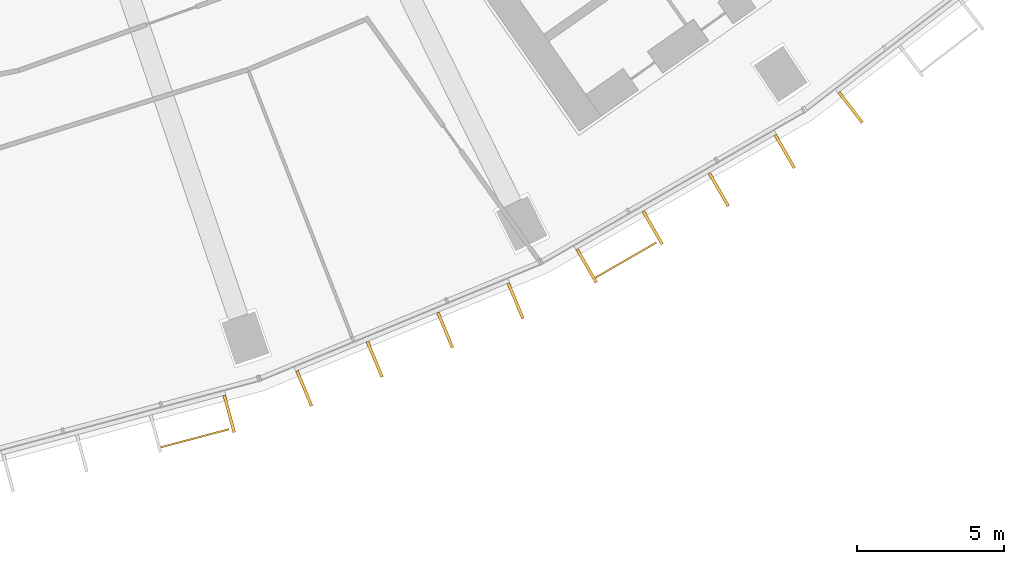
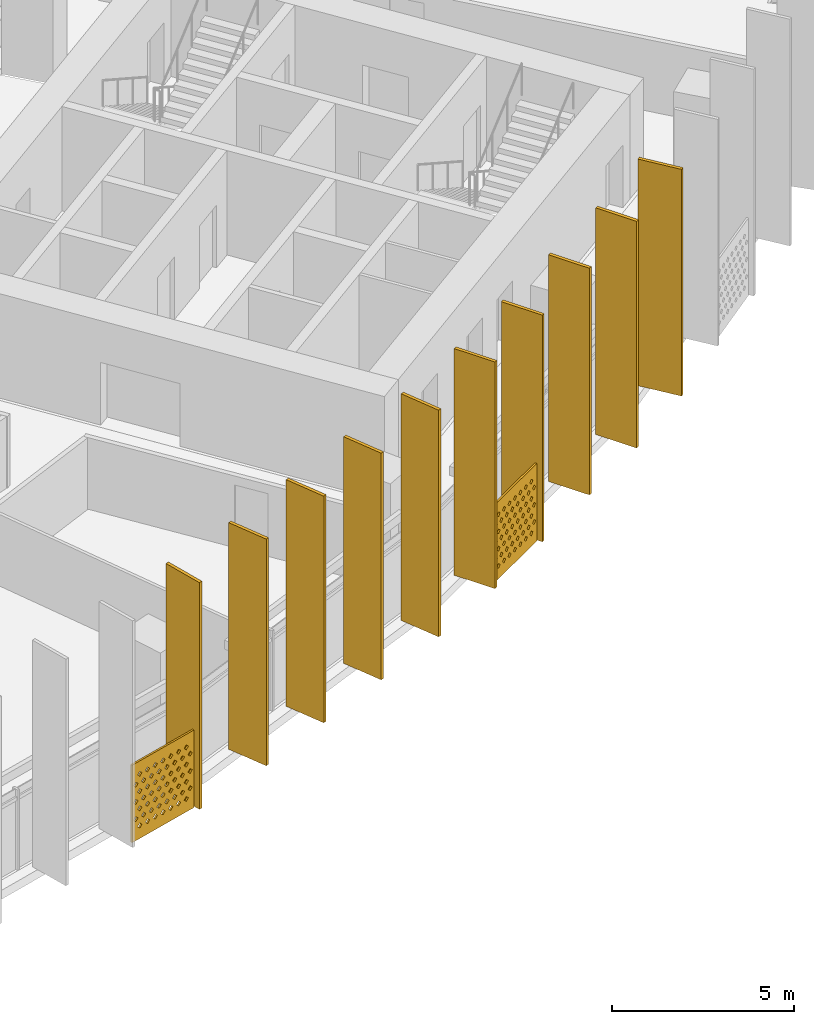
# One storey, part 29 of 33: 12 shading devices.
"""IFC4 building model written with IfcOpenShell, lengths in metres."""

from ifc_helpers import new_model, si_unit, direction, frame, origin, origin_2d, place, context, subcontext, project, spatial, polyline, rectangle, outline, extrude, material, material_profile, profile_set, type_object, element, save


model = new_model("IFC4")

# Units and contexts
model_context = context("Model", 3, precision=1e-05, world=origin(), true_north=direction((0.0, 1.0)))
body_context = subcontext(model_context, "Body", "Model", "MODEL_VIEW")
ifc_project = project(units=[si_unit("LENGTHUNIT", "METRE"), si_unit("AREAUNIT", "SQUARE_METRE"), si_unit("VOLUMEUNIT", "CUBIC_METRE"), si_unit("PLANEANGLEUNIT", "RADIAN"), si_unit("MASSUNIT", "GRAM", prefix="KILO")], contexts=[model_context])

# Site, building, storey
site_placement = place(None, origin())
site = spatial("IfcSite", under=ifc_project, at=site_placement, CompositionType="ELEMENT")
building_placement = place(site_placement, origin())
building = spatial("IfcBuilding", under=site, at=building_placement, Name="Qamariyya Broadcast Tower", CompositionType="ELEMENT")
storey_placement = place(building_placement, frame((0.0, 0.0, 94.89990234375)))
storey = spatial("IfcBuildingStorey", under=building, at=storey_placement, Name="L20", CompositionType="ELEMENT", Elevation=94.89990234375)

# Shading devices
ifc_material_1 = material(Name="Perforated glazed terracotta", Category="masonry")
ifc_material_profile_1 = material_profile(ifc_material_1, outline(polyline([(-1.199951171875, -1.300048828125), (1.199951171875, -1.300048828125), (1.199951171875, 1.300048828125), (-1.199951171875, 1.300048828125), (-1.199951171875, -1.300048828125)]), holes=[polyline([(-0.81494140625, -0.86669921875), (-0.89990234375, -0.78173828125), (-0.985107421875, -0.86669921875), (-0.89990234375, -0.95166015625), (-0.81494140625, -0.86669921875)]), polyline([(-0.514892578125, -0.86669921875), (-0.60009765625, -0.78173828125), (-0.68505859375, -0.86669921875), (-0.60009765625, -0.95166015625), (-0.514892578125, -0.86669921875)]), polyline([(-0.215087890625, -0.86669921875), (-0.300048828125, -0.78173828125), (-0.385009765625, -0.86669921875), (-0.300048828125, -0.95166015625), (-0.215087890625, -0.86669921875)]), polyline([(0.0849609375, -0.86669921875), (0.0, -0.78173828125), (-0.0849609375, -0.86669921875), (0.0, -0.95166015625), (0.0849609375, -0.86669921875)]), polyline([(0.385009765625, -0.86669921875), (0.300048828125, -0.78173828125), (0.215087890625, -0.86669921875), (0.300048828125, -0.95166015625), (0.385009765625, -0.86669921875)]), polyline([(0.68505859375, -0.86669921875), (0.60009765625, -0.78173828125), (0.514892578125, -0.86669921875), (0.60009765625, -0.95166015625), (0.68505859375, -0.86669921875)]), polyline([(0.985107421875, -0.86669921875), (0.89990234375, -0.78173828125), (0.81494140625, -0.86669921875), (0.89990234375, -0.95166015625), (0.985107421875, -0.86669921875)]), polyline([(-0.965087890625, -0.577880859375), (-1.050048828125, -0.49267578125), (-1.135009765625, -0.577880859375), (-1.050048828125, -0.662841796875), (-0.965087890625, -0.577880859375)]), polyline([(-0.6650390625, -0.577880859375), (-0.75, -0.49267578125), (-0.8349609375, -0.577880859375), (-0.75, -0.662841796875), (-0.6650390625, -0.577880859375)]), polyline([(-0.364990234375, -0.577880859375), (-0.449951171875, -0.49267578125), (-0.534912109375, -0.577880859375), (-0.449951171875, -0.662841796875), (-0.364990234375, -0.577880859375)]), polyline([(-0.06494140625, -0.577880859375), (-0.14990234375, -0.49267578125), (-0.235107421875, -0.577880859375), (-0.14990234375, -0.662841796875), (-0.06494140625, -0.577880859375)]), polyline([(0.235107421875, -0.577880859375), (0.14990234375, -0.49267578125), (0.06494140625, -0.577880859375), (0.14990234375, -0.662841796875), (0.235107421875, -0.577880859375)]), polyline([(0.534912109375, -0.577880859375), (0.449951171875, -0.49267578125), (0.364990234375, -0.577880859375), (0.449951171875, -0.662841796875), (0.534912109375, -0.577880859375)]), polyline([(0.8349609375, -0.577880859375), (0.75, -0.49267578125), (0.6650390625, -0.577880859375), (0.75, -0.662841796875), (0.8349609375, -0.577880859375)]), polyline([(1.135009765625, -0.577880859375), (1.050048828125, -0.49267578125), (0.965087890625, -0.577880859375), (1.050048828125, -0.662841796875), (1.135009765625, -0.577880859375)]), polyline([(-0.81494140625, -0.288818359375), (-0.89990234375, -0.203857421875), (-0.985107421875, -0.288818359375), (-0.89990234375, -0.373779296875), (-0.81494140625, -0.288818359375)]), polyline([(-0.514892578125, -0.288818359375), (-0.60009765625, -0.203857421875), (-0.68505859375, -0.288818359375), (-0.60009765625, -0.373779296875), (-0.514892578125, -0.288818359375)]), polyline([(-0.215087890625, -0.288818359375), (-0.300048828125, -0.203857421875), (-0.385009765625, -0.288818359375), (-0.300048828125, -0.373779296875), (-0.215087890625, -0.288818359375)]), polyline([(0.0849609375, -0.288818359375), (0.0, -0.203857421875), (-0.0849609375, -0.288818359375), (0.0, -0.373779296875), (0.0849609375, -0.288818359375)]), polyline([(0.385009765625, -0.288818359375), (0.300048828125, -0.203857421875), (0.215087890625, -0.288818359375), (0.300048828125, -0.373779296875), (0.385009765625, -0.288818359375)]), polyline([(0.68505859375, -0.288818359375), (0.60009765625, -0.203857421875), (0.514892578125, -0.288818359375), (0.60009765625, -0.373779296875), (0.68505859375, -0.288818359375)]), polyline([(0.985107421875, -0.288818359375), (0.89990234375, -0.203857421875), (0.81494140625, -0.288818359375), (0.89990234375, -0.373779296875), (0.985107421875, -0.288818359375)]), polyline([(-0.965087890625, 0.0), (-1.050048828125, 0.0849609375), (-1.135009765625, 0.0), (-1.050048828125, -0.0849609375), (-0.965087890625, 0.0)]), polyline([(-0.6650390625, 0.0), (-0.75, 0.0849609375), (-0.8349609375, 0.0), (-0.75, -0.0849609375), (-0.6650390625, 0.0)]), polyline([(-0.364990234375, 0.0), (-0.449951171875, 0.0849609375), (-0.534912109375, 0.0), (-0.449951171875, -0.0849609375), (-0.364990234375, 0.0)]), polyline([(-0.06494140625, 0.0), (-0.14990234375, 0.0849609375), (-0.235107421875, 0.0), (-0.14990234375, -0.0849609375), (-0.06494140625, 0.0)]), polyline([(0.235107421875, 0.0), (0.14990234375, 0.0849609375), (0.06494140625, 0.0), (0.14990234375, -0.0849609375), (0.235107421875, 0.0)]), polyline([(0.534912109375, 0.0), (0.449951171875, 0.0849609375), (0.364990234375, 0.0), (0.449951171875, -0.0849609375), (0.534912109375, 0.0)]), polyline([(0.8349609375, 0.0), (0.75, 0.0849609375), (0.6650390625, 0.0), (0.75, -0.0849609375), (0.8349609375, 0.0)]), polyline([(1.135009765625, 0.0), (1.050048828125, 0.0849609375), (0.965087890625, 0.0), (1.050048828125, -0.0849609375), (1.135009765625, 0.0)]), polyline([(-0.81494140625, 0.288818359375), (-0.89990234375, 0.373779296875), (-0.985107421875, 0.288818359375), (-0.89990234375, 0.203857421875), (-0.81494140625, 0.288818359375)]), polyline([(-0.514892578125, 0.288818359375), (-0.60009765625, 0.373779296875), (-0.68505859375, 0.288818359375), (-0.60009765625, 0.203857421875), (-0.514892578125, 0.288818359375)]), polyline([(-0.215087890625, 0.288818359375), (-0.300048828125, 0.373779296875), (-0.385009765625, 0.288818359375), (-0.300048828125, 0.203857421875), (-0.215087890625, 0.288818359375)]), polyline([(0.0849609375, 0.288818359375), (0.0, 0.373779296875), (-0.0849609375, 0.288818359375), (0.0, 0.203857421875), (0.0849609375, 0.288818359375)]), polyline([(0.385009765625, 0.288818359375), (0.300048828125, 0.373779296875), (0.215087890625, 0.288818359375), (0.300048828125, 0.203857421875), (0.385009765625, 0.288818359375)]), polyline([(0.68505859375, 0.288818359375), (0.60009765625, 0.373779296875), (0.514892578125, 0.288818359375), (0.60009765625, 0.203857421875), (0.68505859375, 0.288818359375)]), polyline([(0.985107421875, 0.288818359375), (0.89990234375, 0.373779296875), (0.81494140625, 0.288818359375), (0.89990234375, 0.203857421875), (0.985107421875, 0.288818359375)]), polyline([(-0.965087890625, 0.577880859375), (-1.050048828125, 0.662841796875), (-1.135009765625, 0.577880859375), (-1.050048828125, 0.49267578125), (-0.965087890625, 0.577880859375)]), polyline([(-0.6650390625, 0.577880859375), (-0.75, 0.662841796875), (-0.8349609375, 0.577880859375), (-0.75, 0.49267578125), (-0.6650390625, 0.577880859375)]), polyline([(-0.364990234375, 0.577880859375), (-0.449951171875, 0.662841796875), (-0.534912109375, 0.577880859375), (-0.449951171875, 0.49267578125), (-0.364990234375, 0.577880859375)]), polyline([(-0.06494140625, 0.577880859375), (-0.14990234375, 0.662841796875), (-0.235107421875, 0.577880859375), (-0.14990234375, 0.49267578125), (-0.06494140625, 0.577880859375)]), polyline([(0.235107421875, 0.577880859375), (0.14990234375, 0.662841796875), (0.06494140625, 0.577880859375), (0.14990234375, 0.49267578125), (0.235107421875, 0.577880859375)]), polyline([(0.534912109375, 0.577880859375), (0.449951171875, 0.662841796875), (0.364990234375, 0.577880859375), (0.449951171875, 0.49267578125), (0.534912109375, 0.577880859375)]), polyline([(0.8349609375, 0.577880859375), (0.75, 0.662841796875), (0.6650390625, 0.577880859375), (0.75, 0.49267578125), (0.8349609375, 0.577880859375)]), polyline([(1.135009765625, 0.577880859375), (1.050048828125, 0.662841796875), (0.965087890625, 0.577880859375), (1.050048828125, 0.49267578125), (1.135009765625, 0.577880859375)]), polyline([(-0.81494140625, 0.86669921875), (-0.89990234375, 0.95166015625), (-0.985107421875, 0.86669921875), (-0.89990234375, 0.78173828125), (-0.81494140625, 0.86669921875)]), polyline([(-0.514892578125, 0.86669921875), (-0.60009765625, 0.95166015625), (-0.68505859375, 0.86669921875), (-0.60009765625, 0.78173828125), (-0.514892578125, 0.86669921875)]), polyline([(-0.215087890625, 0.86669921875), (-0.300048828125, 0.95166015625), (-0.385009765625, 0.86669921875), (-0.300048828125, 0.78173828125), (-0.215087890625, 0.86669921875)]), polyline([(0.0849609375, 0.86669921875), (0.0, 0.95166015625), (-0.0849609375, 0.86669921875), (0.0, 0.78173828125), (0.0849609375, 0.86669921875)]), polyline([(0.385009765625, 0.86669921875), (0.300048828125, 0.95166015625), (0.215087890625, 0.86669921875), (0.300048828125, 0.78173828125), (0.385009765625, 0.86669921875)]), polyline([(0.68505859375, 0.86669921875), (0.60009765625, 0.95166015625), (0.514892578125, 0.86669921875), (0.60009765625, 0.78173828125), (0.68505859375, 0.86669921875)]), polyline([(0.985107421875, 0.86669921875), (0.89990234375, 0.95166015625), (0.81494140625, 0.86669921875), (0.89990234375, 0.78173828125), (0.985107421875, 0.86669921875)])]))
ifc_profile_set_1 = profile_set([ifc_material_profile_1], Name="Perforated glazed terracotta")
shading_device_type_1 = type_object("IfcShadingDeviceType", Name="Perforated terracotta screen 2400 x 2600", PredefinedType="USERDEFINED", material=ifc_profile_set_1)
shading_device_1_placement = place(storey_placement, frame((23.26904296875, -77.00146484375, 1.35009765625), z_axis=(0.255892560316, -0.966705227862, 0.0), x_axis=(0.966705227862, 0.255892560316, 0.0)))
element("IfcShadingDevice", 1, at=shading_device_1_placement, inside=storey, type_object=shading_device_type_1, Name="e-scr-L20-11-2", ObjectType="SCREEN", PredefinedType="USERDEFINED", context=body_context, shape_type="SweptSolid", body=[
    extrude(outline(polyline([(-1.199951171875, -1.300048828125), (1.199951171875, -1.300048828125), (1.199951171875, 1.300048828125), (-1.199951171875, 1.300048828125), (-1.199951171875, -1.300048828125)]), holes=[polyline([(-0.81494140625, -0.86669921875), (-0.89990234375, -0.78173828125), (-0.985107421875, -0.86669921875), (-0.89990234375, -0.95166015625), (-0.81494140625, -0.86669921875)]), polyline([(-0.514892578125, -0.86669921875), (-0.60009765625, -0.78173828125), (-0.68505859375, -0.86669921875), (-0.60009765625, -0.95166015625), (-0.514892578125, -0.86669921875)]), polyline([(-0.215087890625, -0.86669921875), (-0.300048828125, -0.78173828125), (-0.385009765625, -0.86669921875), (-0.300048828125, -0.95166015625), (-0.215087890625, -0.86669921875)]), polyline([(0.0849609375, -0.86669921875), (0.0, -0.78173828125), (-0.0849609375, -0.86669921875), (0.0, -0.95166015625), (0.0849609375, -0.86669921875)]), polyline([(0.385009765625, -0.86669921875), (0.300048828125, -0.78173828125), (0.215087890625, -0.86669921875), (0.300048828125, -0.95166015625), (0.385009765625, -0.86669921875)]), polyline([(0.68505859375, -0.86669921875), (0.60009765625, -0.78173828125), (0.514892578125, -0.86669921875), (0.60009765625, -0.95166015625), (0.68505859375, -0.86669921875)]), polyline([(0.985107421875, -0.86669921875), (0.89990234375, -0.78173828125), (0.81494140625, -0.86669921875), (0.89990234375, -0.95166015625), (0.985107421875, -0.86669921875)]), polyline([(-0.965087890625, -0.577880859375), (-1.050048828125, -0.49267578125), (-1.135009765625, -0.577880859375), (-1.050048828125, -0.662841796875), (-0.965087890625, -0.577880859375)]), polyline([(-0.6650390625, -0.577880859375), (-0.75, -0.49267578125), (-0.8349609375, -0.577880859375), (-0.75, -0.662841796875), (-0.6650390625, -0.577880859375)]), polyline([(-0.364990234375, -0.577880859375), (-0.449951171875, -0.49267578125), (-0.534912109375, -0.577880859375), (-0.449951171875, -0.662841796875), (-0.364990234375, -0.577880859375)]), polyline([(-0.06494140625, -0.577880859375), (-0.14990234375, -0.49267578125), (-0.235107421875, -0.577880859375), (-0.14990234375, -0.662841796875), (-0.06494140625, -0.577880859375)]), polyline([(0.235107421875, -0.577880859375), (0.14990234375, -0.49267578125), (0.06494140625, -0.577880859375), (0.14990234375, -0.662841796875), (0.235107421875, -0.577880859375)]), polyline([(0.534912109375, -0.577880859375), (0.449951171875, -0.49267578125), (0.364990234375, -0.577880859375), (0.449951171875, -0.662841796875), (0.534912109375, -0.577880859375)]), polyline([(0.8349609375, -0.577880859375), (0.75, -0.49267578125), (0.6650390625, -0.577880859375), (0.75, -0.662841796875), (0.8349609375, -0.577880859375)]), polyline([(1.135009765625, -0.577880859375), (1.050048828125, -0.49267578125), (0.965087890625, -0.577880859375), (1.050048828125, -0.662841796875), (1.135009765625, -0.577880859375)]), polyline([(-0.81494140625, -0.288818359375), (-0.89990234375, -0.203857421875), (-0.985107421875, -0.288818359375), (-0.89990234375, -0.373779296875), (-0.81494140625, -0.288818359375)]), polyline([(-0.514892578125, -0.288818359375), (-0.60009765625, -0.203857421875), (-0.68505859375, -0.288818359375), (-0.60009765625, -0.373779296875), (-0.514892578125, -0.288818359375)]), polyline([(-0.215087890625, -0.288818359375), (-0.300048828125, -0.203857421875), (-0.385009765625, -0.288818359375), (-0.300048828125, -0.373779296875), (-0.215087890625, -0.288818359375)]), polyline([(0.0849609375, -0.288818359375), (0.0, -0.203857421875), (-0.0849609375, -0.288818359375), (0.0, -0.373779296875), (0.0849609375, -0.288818359375)]), polyline([(0.385009765625, -0.288818359375), (0.300048828125, -0.203857421875), (0.215087890625, -0.288818359375), (0.300048828125, -0.373779296875), (0.385009765625, -0.288818359375)]), polyline([(0.68505859375, -0.288818359375), (0.60009765625, -0.203857421875), (0.514892578125, -0.288818359375), (0.60009765625, -0.373779296875), (0.68505859375, -0.288818359375)]), polyline([(0.985107421875, -0.288818359375), (0.89990234375, -0.203857421875), (0.81494140625, -0.288818359375), (0.89990234375, -0.373779296875), (0.985107421875, -0.288818359375)]), polyline([(-0.965087890625, 0.0), (-1.050048828125, 0.0849609375), (-1.135009765625, 0.0), (-1.050048828125, -0.0849609375), (-0.965087890625, 0.0)]), polyline([(-0.6650390625, 0.0), (-0.75, 0.0849609375), (-0.8349609375, 0.0), (-0.75, -0.0849609375), (-0.6650390625, 0.0)]), polyline([(-0.364990234375, 0.0), (-0.449951171875, 0.0849609375), (-0.534912109375, 0.0), (-0.449951171875, -0.0849609375), (-0.364990234375, 0.0)]), polyline([(-0.06494140625, 0.0), (-0.14990234375, 0.0849609375), (-0.235107421875, 0.0), (-0.14990234375, -0.0849609375), (-0.06494140625, 0.0)]), polyline([(0.235107421875, 0.0), (0.14990234375, 0.0849609375), (0.06494140625, 0.0), (0.14990234375, -0.0849609375), (0.235107421875, 0.0)]), polyline([(0.534912109375, 0.0), (0.449951171875, 0.0849609375), (0.364990234375, 0.0), (0.449951171875, -0.0849609375), (0.534912109375, 0.0)]), polyline([(0.8349609375, 0.0), (0.75, 0.0849609375), (0.6650390625, 0.0), (0.75, -0.0849609375), (0.8349609375, 0.0)]), polyline([(1.135009765625, 0.0), (1.050048828125, 0.0849609375), (0.965087890625, 0.0), (1.050048828125, -0.0849609375), (1.135009765625, 0.0)]), polyline([(-0.81494140625, 0.288818359375), (-0.89990234375, 0.373779296875), (-0.985107421875, 0.288818359375), (-0.89990234375, 0.203857421875), (-0.81494140625, 0.288818359375)]), polyline([(-0.514892578125, 0.288818359375), (-0.60009765625, 0.373779296875), (-0.68505859375, 0.288818359375), (-0.60009765625, 0.203857421875), (-0.514892578125, 0.288818359375)]), polyline([(-0.215087890625, 0.288818359375), (-0.300048828125, 0.373779296875), (-0.385009765625, 0.288818359375), (-0.300048828125, 0.203857421875), (-0.215087890625, 0.288818359375)]), polyline([(0.0849609375, 0.288818359375), (0.0, 0.373779296875), (-0.0849609375, 0.288818359375), (0.0, 0.203857421875), (0.0849609375, 0.288818359375)]), polyline([(0.385009765625, 0.288818359375), (0.300048828125, 0.373779296875), (0.215087890625, 0.288818359375), (0.300048828125, 0.203857421875), (0.385009765625, 0.288818359375)]), polyline([(0.68505859375, 0.288818359375), (0.60009765625, 0.373779296875), (0.514892578125, 0.288818359375), (0.60009765625, 0.203857421875), (0.68505859375, 0.288818359375)]), polyline([(0.985107421875, 0.288818359375), (0.89990234375, 0.373779296875), (0.81494140625, 0.288818359375), (0.89990234375, 0.203857421875), (0.985107421875, 0.288818359375)]), polyline([(-0.965087890625, 0.577880859375), (-1.050048828125, 0.662841796875), (-1.135009765625, 0.577880859375), (-1.050048828125, 0.49267578125), (-0.965087890625, 0.577880859375)]), polyline([(-0.6650390625, 0.577880859375), (-0.75, 0.662841796875), (-0.8349609375, 0.577880859375), (-0.75, 0.49267578125), (-0.6650390625, 0.577880859375)]), polyline([(-0.364990234375, 0.577880859375), (-0.449951171875, 0.662841796875), (-0.534912109375, 0.577880859375), (-0.449951171875, 0.49267578125), (-0.364990234375, 0.577880859375)]), polyline([(-0.06494140625, 0.577880859375), (-0.14990234375, 0.662841796875), (-0.235107421875, 0.577880859375), (-0.14990234375, 0.49267578125), (-0.06494140625, 0.577880859375)]), polyline([(0.235107421875, 0.577880859375), (0.14990234375, 0.662841796875), (0.06494140625, 0.577880859375), (0.14990234375, 0.49267578125), (0.235107421875, 0.577880859375)]), polyline([(0.534912109375, 0.577880859375), (0.449951171875, 0.662841796875), (0.364990234375, 0.577880859375), (0.449951171875, 0.49267578125), (0.534912109375, 0.577880859375)]), polyline([(0.8349609375, 0.577880859375), (0.75, 0.662841796875), (0.6650390625, 0.577880859375), (0.75, 0.49267578125), (0.8349609375, 0.577880859375)]), polyline([(1.135009765625, 0.577880859375), (1.050048828125, 0.662841796875), (0.965087890625, 0.577880859375), (1.050048828125, 0.49267578125), (1.135009765625, 0.577880859375)]), polyline([(-0.81494140625, 0.86669921875), (-0.89990234375, 0.95166015625), (-0.985107421875, 0.86669921875), (-0.89990234375, 0.78173828125), (-0.81494140625, 0.86669921875)]), polyline([(-0.514892578125, 0.86669921875), (-0.60009765625, 0.95166015625), (-0.68505859375, 0.86669921875), (-0.60009765625, 0.78173828125), (-0.514892578125, 0.86669921875)]), polyline([(-0.215087890625, 0.86669921875), (-0.300048828125, 0.95166015625), (-0.385009765625, 0.86669921875), (-0.300048828125, 0.78173828125), (-0.215087890625, 0.86669921875)]), polyline([(0.0849609375, 0.86669921875), (0.0, 0.95166015625), (-0.0849609375, 0.86669921875), (0.0, 0.78173828125), (0.0849609375, 0.86669921875)]), polyline([(0.385009765625, 0.86669921875), (0.300048828125, 0.95166015625), (0.215087890625, 0.86669921875), (0.300048828125, 0.78173828125), (0.385009765625, 0.86669921875)]), polyline([(0.68505859375, 0.86669921875), (0.60009765625, 0.95166015625), (0.514892578125, 0.86669921875), (0.60009765625, 0.78173828125), (0.68505859375, 0.86669921875)]), polyline([(0.985107421875, 0.86669921875), (0.89990234375, 0.95166015625), (0.81494140625, 0.86669921875), (0.89990234375, 0.78173828125), (0.985107421875, 0.86669921875)])]), origin(), (0.0, 0.0, 1.0), 0.06005859375),
])
shading_device_2_placement = place(storey_placement, frame((37.913818359375, -70.948486328125, 1.35009765625), z_axis=(0.500074377092, -0.865982457891, 0.0), x_axis=(0.865982457891, 0.500074377092, 0.0)))
element("IfcShadingDevice", 2, at=shading_device_2_placement, inside=storey, type_object=shading_device_type_1, Name="e-scr-L20-13-0", ObjectType="SCREEN", PredefinedType="USERDEFINED", context=body_context, shape_type="SweptSolid", body=[
    extrude(outline(polyline([(-1.199951171875, -1.300048828125), (1.199951171875, -1.300048828125), (1.199951171875, 1.300048828125), (-1.199951171875, 1.300048828125), (-1.199951171875, -1.300048828125)]), holes=[polyline([(-0.81494140625, -0.86669921875), (-0.89990234375, -0.78173828125), (-0.985107421875, -0.86669921875), (-0.89990234375, -0.95166015625), (-0.81494140625, -0.86669921875)]), polyline([(-0.514892578125, -0.86669921875), (-0.60009765625, -0.78173828125), (-0.68505859375, -0.86669921875), (-0.60009765625, -0.95166015625), (-0.514892578125, -0.86669921875)]), polyline([(-0.215087890625, -0.86669921875), (-0.300048828125, -0.78173828125), (-0.385009765625, -0.86669921875), (-0.300048828125, -0.95166015625), (-0.215087890625, -0.86669921875)]), polyline([(0.0849609375, -0.86669921875), (0.0, -0.78173828125), (-0.0849609375, -0.86669921875), (0.0, -0.95166015625), (0.0849609375, -0.86669921875)]), polyline([(0.385009765625, -0.86669921875), (0.300048828125, -0.78173828125), (0.215087890625, -0.86669921875), (0.300048828125, -0.95166015625), (0.385009765625, -0.86669921875)]), polyline([(0.68505859375, -0.86669921875), (0.60009765625, -0.78173828125), (0.514892578125, -0.86669921875), (0.60009765625, -0.95166015625), (0.68505859375, -0.86669921875)]), polyline([(0.985107421875, -0.86669921875), (0.89990234375, -0.78173828125), (0.81494140625, -0.86669921875), (0.89990234375, -0.95166015625), (0.985107421875, -0.86669921875)]), polyline([(-0.965087890625, -0.577880859375), (-1.050048828125, -0.49267578125), (-1.135009765625, -0.577880859375), (-1.050048828125, -0.662841796875), (-0.965087890625, -0.577880859375)]), polyline([(-0.6650390625, -0.577880859375), (-0.75, -0.49267578125), (-0.8349609375, -0.577880859375), (-0.75, -0.662841796875), (-0.6650390625, -0.577880859375)]), polyline([(-0.364990234375, -0.577880859375), (-0.449951171875, -0.49267578125), (-0.534912109375, -0.577880859375), (-0.449951171875, -0.662841796875), (-0.364990234375, -0.577880859375)]), polyline([(-0.06494140625, -0.577880859375), (-0.14990234375, -0.49267578125), (-0.235107421875, -0.577880859375), (-0.14990234375, -0.662841796875), (-0.06494140625, -0.577880859375)]), polyline([(0.235107421875, -0.577880859375), (0.14990234375, -0.49267578125), (0.06494140625, -0.577880859375), (0.14990234375, -0.662841796875), (0.235107421875, -0.577880859375)]), polyline([(0.534912109375, -0.577880859375), (0.449951171875, -0.49267578125), (0.364990234375, -0.577880859375), (0.449951171875, -0.662841796875), (0.534912109375, -0.577880859375)]), polyline([(0.8349609375, -0.577880859375), (0.75, -0.49267578125), (0.6650390625, -0.577880859375), (0.75, -0.662841796875), (0.8349609375, -0.577880859375)]), polyline([(1.135009765625, -0.577880859375), (1.050048828125, -0.49267578125), (0.965087890625, -0.577880859375), (1.050048828125, -0.662841796875), (1.135009765625, -0.577880859375)]), polyline([(-0.81494140625, -0.288818359375), (-0.89990234375, -0.203857421875), (-0.985107421875, -0.288818359375), (-0.89990234375, -0.373779296875), (-0.81494140625, -0.288818359375)]), polyline([(-0.514892578125, -0.288818359375), (-0.60009765625, -0.203857421875), (-0.68505859375, -0.288818359375), (-0.60009765625, -0.373779296875), (-0.514892578125, -0.288818359375)]), polyline([(-0.215087890625, -0.288818359375), (-0.300048828125, -0.203857421875), (-0.385009765625, -0.288818359375), (-0.300048828125, -0.373779296875), (-0.215087890625, -0.288818359375)]), polyline([(0.0849609375, -0.288818359375), (0.0, -0.203857421875), (-0.0849609375, -0.288818359375), (0.0, -0.373779296875), (0.0849609375, -0.288818359375)]), polyline([(0.385009765625, -0.288818359375), (0.300048828125, -0.203857421875), (0.215087890625, -0.288818359375), (0.300048828125, -0.373779296875), (0.385009765625, -0.288818359375)]), polyline([(0.68505859375, -0.288818359375), (0.60009765625, -0.203857421875), (0.514892578125, -0.288818359375), (0.60009765625, -0.373779296875), (0.68505859375, -0.288818359375)]), polyline([(0.985107421875, -0.288818359375), (0.89990234375, -0.203857421875), (0.81494140625, -0.288818359375), (0.89990234375, -0.373779296875), (0.985107421875, -0.288818359375)]), polyline([(-0.965087890625, 0.0), (-1.050048828125, 0.0849609375), (-1.135009765625, 0.0), (-1.050048828125, -0.0849609375), (-0.965087890625, 0.0)]), polyline([(-0.6650390625, 0.0), (-0.75, 0.0849609375), (-0.8349609375, 0.0), (-0.75, -0.0849609375), (-0.6650390625, 0.0)]), polyline([(-0.364990234375, 0.0), (-0.449951171875, 0.0849609375), (-0.534912109375, 0.0), (-0.449951171875, -0.0849609375), (-0.364990234375, 0.0)]), polyline([(-0.06494140625, 0.0), (-0.14990234375, 0.0849609375), (-0.235107421875, 0.0), (-0.14990234375, -0.0849609375), (-0.06494140625, 0.0)]), polyline([(0.235107421875, 0.0), (0.14990234375, 0.0849609375), (0.06494140625, 0.0), (0.14990234375, -0.0849609375), (0.235107421875, 0.0)]), polyline([(0.534912109375, 0.0), (0.449951171875, 0.0849609375), (0.364990234375, 0.0), (0.449951171875, -0.0849609375), (0.534912109375, 0.0)]), polyline([(0.8349609375, 0.0), (0.75, 0.0849609375), (0.6650390625, 0.0), (0.75, -0.0849609375), (0.8349609375, 0.0)]), polyline([(1.135009765625, 0.0), (1.050048828125, 0.0849609375), (0.965087890625, 0.0), (1.050048828125, -0.0849609375), (1.135009765625, 0.0)]), polyline([(-0.81494140625, 0.288818359375), (-0.89990234375, 0.373779296875), (-0.985107421875, 0.288818359375), (-0.89990234375, 0.203857421875), (-0.81494140625, 0.288818359375)]), polyline([(-0.514892578125, 0.288818359375), (-0.60009765625, 0.373779296875), (-0.68505859375, 0.288818359375), (-0.60009765625, 0.203857421875), (-0.514892578125, 0.288818359375)]), polyline([(-0.215087890625, 0.288818359375), (-0.300048828125, 0.373779296875), (-0.385009765625, 0.288818359375), (-0.300048828125, 0.203857421875), (-0.215087890625, 0.288818359375)]), polyline([(0.0849609375, 0.288818359375), (0.0, 0.373779296875), (-0.0849609375, 0.288818359375), (0.0, 0.203857421875), (0.0849609375, 0.288818359375)]), polyline([(0.385009765625, 0.288818359375), (0.300048828125, 0.373779296875), (0.215087890625, 0.288818359375), (0.300048828125, 0.203857421875), (0.385009765625, 0.288818359375)]), polyline([(0.68505859375, 0.288818359375), (0.60009765625, 0.373779296875), (0.514892578125, 0.288818359375), (0.60009765625, 0.203857421875), (0.68505859375, 0.288818359375)]), polyline([(0.985107421875, 0.288818359375), (0.89990234375, 0.373779296875), (0.81494140625, 0.288818359375), (0.89990234375, 0.203857421875), (0.985107421875, 0.288818359375)]), polyline([(-0.965087890625, 0.577880859375), (-1.050048828125, 0.662841796875), (-1.135009765625, 0.577880859375), (-1.050048828125, 0.49267578125), (-0.965087890625, 0.577880859375)]), polyline([(-0.6650390625, 0.577880859375), (-0.75, 0.662841796875), (-0.8349609375, 0.577880859375), (-0.75, 0.49267578125), (-0.6650390625, 0.577880859375)]), polyline([(-0.364990234375, 0.577880859375), (-0.449951171875, 0.662841796875), (-0.534912109375, 0.577880859375), (-0.449951171875, 0.49267578125), (-0.364990234375, 0.577880859375)]), polyline([(-0.06494140625, 0.577880859375), (-0.14990234375, 0.662841796875), (-0.235107421875, 0.577880859375), (-0.14990234375, 0.49267578125), (-0.06494140625, 0.577880859375)]), polyline([(0.235107421875, 0.577880859375), (0.14990234375, 0.662841796875), (0.06494140625, 0.577880859375), (0.14990234375, 0.49267578125), (0.235107421875, 0.577880859375)]), polyline([(0.534912109375, 0.577880859375), (0.449951171875, 0.662841796875), (0.364990234375, 0.577880859375), (0.449951171875, 0.49267578125), (0.534912109375, 0.577880859375)]), polyline([(0.8349609375, 0.577880859375), (0.75, 0.662841796875), (0.6650390625, 0.577880859375), (0.75, 0.49267578125), (0.8349609375, 0.577880859375)]), polyline([(1.135009765625, 0.577880859375), (1.050048828125, 0.662841796875), (0.965087890625, 0.577880859375), (1.050048828125, 0.49267578125), (1.135009765625, 0.577880859375)]), polyline([(-0.81494140625, 0.86669921875), (-0.89990234375, 0.95166015625), (-0.985107421875, 0.86669921875), (-0.89990234375, 0.78173828125), (-0.81494140625, 0.86669921875)]), polyline([(-0.514892578125, 0.86669921875), (-0.60009765625, 0.95166015625), (-0.68505859375, 0.86669921875), (-0.60009765625, 0.78173828125), (-0.514892578125, 0.86669921875)]), polyline([(-0.215087890625, 0.86669921875), (-0.300048828125, 0.95166015625), (-0.385009765625, 0.86669921875), (-0.300048828125, 0.78173828125), (-0.215087890625, 0.86669921875)]), polyline([(0.0849609375, 0.86669921875), (0.0, 0.95166015625), (-0.0849609375, 0.86669921875), (0.0, 0.78173828125), (0.0849609375, 0.86669921875)]), polyline([(0.385009765625, 0.86669921875), (0.300048828125, 0.95166015625), (0.215087890625, 0.86669921875), (0.300048828125, 0.78173828125), (0.385009765625, 0.86669921875)]), polyline([(0.68505859375, 0.86669921875), (0.60009765625, 0.95166015625), (0.514892578125, 0.86669921875), (0.60009765625, 0.78173828125), (0.68505859375, 0.86669921875)]), polyline([(0.985107421875, 0.86669921875), (0.89990234375, 0.95166015625), (0.81494140625, 0.86669921875), (0.89990234375, 0.78173828125), (0.985107421875, 0.86669921875)])]), origin(), (0.0, 0.0, 1.0), 0.06005859375),
])
ifc_material_2 = material(Name="Glazed terracotta", Category="masonry")
ifc_material_profile_2 = material_profile(ifc_material_2, rectangle(XDim=1.300048828125, YDim=0.10009765625, at=origin_2d()))
ifc_profile_set_2 = profile_set([ifc_material_profile_2], Name="Glazed terracotta")
shading_device_type_2 = type_object("IfcShadingDeviceType", Name="Terracotta fin 100 x 1300", PredefinedType="USERDEFINED", material=ifc_profile_set_2)
for number, where, z_axis, x_axis, name in (
    (3, (24.44482421875, -76.199951171875, 0.0), (0.0, 0.0, 1.0), (0.258819045103, -0.965925826289, 0.0), "e-fin-L20-11-3"),
    (4, (26.994140625, -75.33447265625, 0.0), (0.0, 0.0, 1.0), (0.382683432365, -0.923879532511, 0.0), "e-fin-L20-12-0"),
    (5, (29.39013671875, -74.342041015625, 0.0), (0.0, 0.0, 1.0), (0.382683432365, -0.923879532511, 0.0), "e-fin-L20-12-1"),
    (6, (31.785888671875, -73.349609375, 0.0), (0.0, 0.0, 1.0), (0.382683432365, -0.923879532511, 0.0), "e-fin-L20-12-2"),
    (7, (34.181640625, -72.357421875, 0.0), (0.0, 0.0, 1.0), (0.382683432365, -0.923879532511, 0.0), "e-fin-L20-12-3"),
    (8, (36.596435546875, -71.16650390625, 0.0), (0.0, 0.0, 1.0), (0.5, -0.866025403784, 0.0), "e-fin-L20-13-0"),
    (9, (38.84228515625, -69.869873046875, 0.0), (0.0, 0.0, 1.0), (0.5, -0.866025403784, 0.0), "e-fin-L20-13-1"),
    (10, (41.087890625, -68.5732421875, 0.0), (0.0, 0.0, 1.0), (0.5, -0.866025403784, 0.0), "e-fin-L20-13-2"),
    (11, (43.333740234375, -67.276611328125, 0.0), (0.0, 0.0, 1.0), (0.5, -0.866025403784, 0.0), "e-fin-L20-13-3"),
    (12, (45.572509765625, -65.781005859375, 0.0), (0.0, 0.0, 1.0), (0.608761429009, -0.793353340291, 0.0), "e-fin-L20-14-0"),
):
    element("IfcShadingDevice", number, at=place(storey_placement, frame(where, z_axis=z_axis, x_axis=x_axis)), inside=storey, type_object=shading_device_type_2, Name=name, ObjectType="FIN", PredefinedType="USERDEFINED", context=body_context, shape_type="SweptSolid", body=[
        extrude(rectangle(XDim=1.300048828125, YDim=0.10009765625, at=origin_2d()), origin(), (0.0, 0.0, 1.0), 7.60009765625),
    ])

save(model, "model.ifc")
